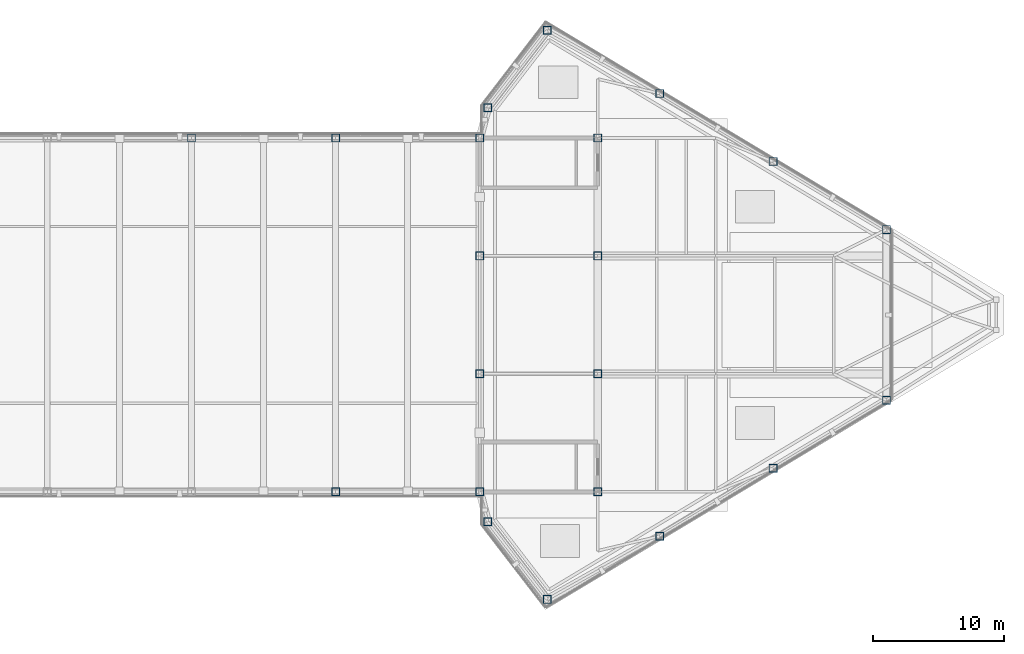
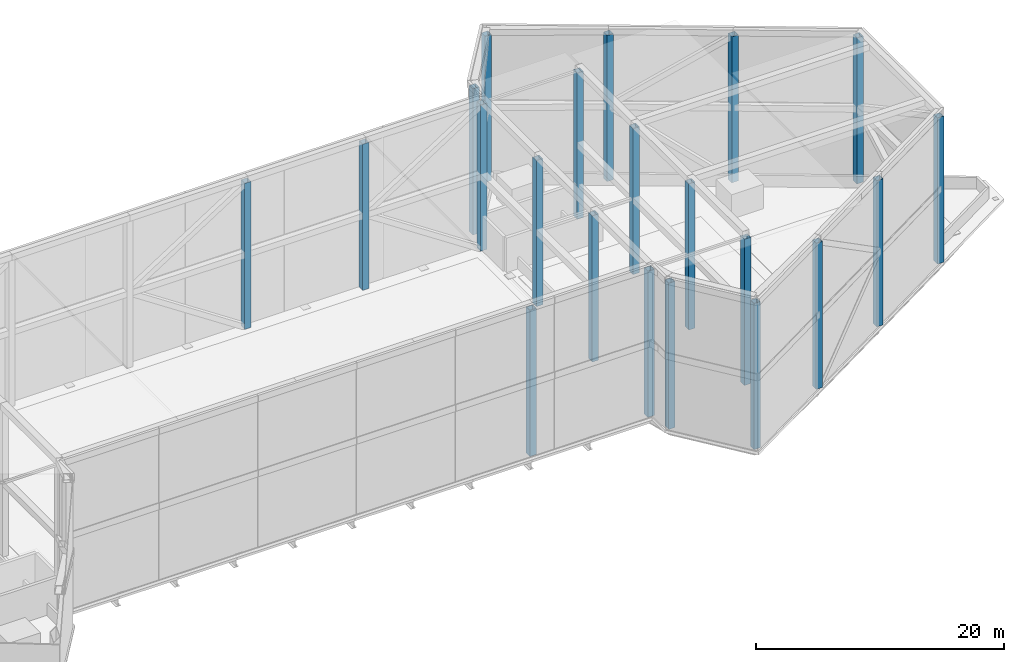
# One storey, part 2 of 16: 21 columns.
"""IFC4 building model written with IfcOpenShell, lengths in metres."""

import ifcopenshell
import ifcopenshell.guid

model = None  # the IFC model being written
_history = None  # IfcOwnerHistory: only IFC2X3 demands one
_inside = {}  # id of a spatial element -> (the spatial element, [elements in it])
_under = {}  # id of a project, library or spatial element -> (it, [spatial elements below it])
_declared = {}  # id of a project -> (the project, [libraries it declares])
_typed = {}  # id of a type object -> (the type object, [elements of that type])
_made_of = {}  # id of a material, layer set ... -> (it, [elements and type objects made of it])


def new_model(schema):
    """Start an empty IFC model of exactly this schema.

    Asked for "IFC4X3", IfcOpenShell would pick the latest addendum, in which some entities
    have other attributes; the version numbers below select the first issue.
    IFC2X3 requires an IfcOwnerHistory on every rooted entity: one is made here for all.
    """
    global model, _history
    if schema == "IFC4X3":
        model = ifcopenshell.file(schema_version=(4, 3, 0, 0))
    else:
        model = ifcopenshell.file(schema=schema)
    _inside.clear()
    _under.clear()
    _declared.clear()
    _typed.clear()
    _made_of.clear()
    _history = None
    if model.schema == "IFC2X3":
        org = make("IfcOrganization", Name="unknown")
        user = make(
            "IfcPersonAndOrganization",
            ThePerson=make("IfcPerson", FamilyName="unknown"),
            TheOrganization=org,
        )
        app = make(
            "IfcApplication",
            ApplicationDeveloper=org,
            Version="unknown",
            ApplicationFullName="unknown",
            ApplicationIdentifier="unknown",
        )
        _history = make(
            "IfcOwnerHistory",
            OwningUser=user,
            OwningApplication=app,
            ChangeAction="ADDED",
            CreationDate=0,
        )
    return model


def make(cls, **values):
    """One entity of the class cls with the attributes given. An attribute that is None is left unset."""
    return model.create_entity(
        cls, **{name: value for name, value in values.items() if value is not None}
    )


def rooted(cls, **values):
    """An entity with a GlobalId (a new one), such as an element, a storey or a relation."""
    return make(cls, GlobalId=ifcopenshell.guid.new(), OwnerHistory=_history, **values)


def si_unit(unit_type, name, prefix=None):
    """IfcSIUnit, for example si_unit("LENGTHUNIT", "METRE", prefix="MILLI")."""
    return make("IfcSIUnit", UnitType=unit_type, Prefix=prefix, Name=name)


def assignment(units):
    """IfcUnitAssignment: the units of a project."""
    return None if units is None else make("IfcUnitAssignment", Units=units)


def point(xyz):
    """IfcCartesianPoint."""
    return None if xyz is None else make("IfcCartesianPoint", Coordinates=xyz)


def direction(xyz):
    """IfcDirection."""
    return None if xyz is None else make("IfcDirection", DirectionRatios=xyz)


def frame(location, z_axis=None, x_axis=None):
    """IfcAxis2Placement3D, a coordinate frame: its origin and axes. An axis left out is left unset."""
    return make(
        "IfcAxis2Placement3D",
        Location=point(location),
        Axis=direction(z_axis),
        RefDirection=direction(x_axis),
    )


def frame_2d(location, x_axis=None):
    """IfcAxis2Placement2D, a coordinate frame in the plane: its origin and x axis."""
    return make(
        "IfcAxis2Placement2D", Location=point(location), RefDirection=direction(x_axis)
    )


def origin():
    """The frame at (0, 0, 0) with its axes left unset."""
    return frame((0.0, 0.0, 0.0))


def origin_2d():
    """The frame at (0, 0) in the plane with its x axis left unset."""
    return frame_2d((0.0, 0.0))


def place(relative_to, where):
    """IfcLocalPlacement: puts the frame where relative to a parent placement (None: the world)."""
    return make(
        "IfcLocalPlacement", PlacementRelTo=relative_to, RelativePlacement=where
    )


def context(
    kind, dimensions, precision=None, world=None, true_north=None, identifier=None
):
    """IfcGeometricRepresentationContext, for example the 3D "Model" context."""
    return make(
        "IfcGeometricRepresentationContext",
        ContextIdentifier=identifier,
        ContextType=kind,
        CoordinateSpaceDimension=dimensions,
        Precision=precision,
        WorldCoordinateSystem=world,
        TrueNorth=true_north,
    )


def subcontext(parent, identifier, kind, view, scale=None):
    """IfcGeometricRepresentationSubContext, for example "Body" below "Model"."""
    return make(
        "IfcGeometricRepresentationSubContext",
        ContextIdentifier=identifier,
        ContextType=kind,
        ParentContext=parent,
        TargetScale=scale,
        TargetView=view,
    )


def project(units=None, contexts=None):
    """IfcProject with its units and contexts."""
    return rooted(
        "IfcProject",
        Name="project",
        RepresentationContexts=contexts,
        UnitsInContext=assignment(units),
    )


def spatial(cls, under=None, at=None, **own):
    """A site, building, storey or space (cls), placed at a placement, below another one or the project."""
    s = rooted(cls, ObjectPlacement=at, **own)
    if under is not None:
        _under.setdefault(under.id(), (under, []))[1].append(s)
    return s


def profile(cls, at=None, kind="AREA", **sizes):
    """A parametric profile (cls). Its sizes go by their IFC names, for example OverallWidth=200.0."""
    return make(cls, ProfileType=kind, Position=at, **sizes)


def hollow_rectangle(**sizes):
    """IfcRectangleHollowProfileDef."""
    return profile("IfcRectangleHollowProfileDef", **sizes)


def extrude(swept, where, along, depth):
    """IfcExtrudedAreaSolid: the profile swept, set in the frame where, extruded along a direction by depth."""
    return make(
        "IfcExtrudedAreaSolid",
        SweptArea=swept,
        Position=where,
        ExtrudedDirection=direction(along),
        Depth=depth,
    )


def shape(context_of_items, identifier, shape_type, items):
    """IfcShapeRepresentation: the items that make up one representation, for example the "Body"."""
    return make(
        "IfcShapeRepresentation",
        ContextOfItems=context_of_items,
        RepresentationIdentifier=identifier,
        RepresentationType=shape_type,
        Items=items,
    )


def source(mapping_origin, context_of_items, identifier, shape_type, items):
    """IfcRepresentationMap: a shape defined once, which mapped items show again and again."""
    return make(
        "IfcRepresentationMap",
        MappingOrigin=mapping_origin,
        MappedRepresentation=shape(context_of_items, identifier, shape_type, items),
    )


def transform(
    local_origin,
    x_axis=None,
    y_axis=None,
    z_axis=None,
    scale=None,
    scale2=None,
    scale3=None,
    uniform=True,
):
    """IfcCartesianTransformationOperator3D, or its non-uniform kind. x_axis, y_axis, z_axis: its Axis1, 2, 3."""
    if uniform:
        return make(
            "IfcCartesianTransformationOperator3D",
            Axis1=direction(x_axis),
            Axis2=direction(y_axis),
            LocalOrigin=point(local_origin),
            Scale=scale,
            Axis3=direction(z_axis),
        )
    return make(
        "IfcCartesianTransformationOperator3DnonUniform",
        Axis1=direction(x_axis),
        Axis2=direction(y_axis),
        LocalOrigin=point(local_origin),
        Scale=scale,
        Axis3=direction(z_axis),
        Scale2=scale2,
        Scale3=scale3,
    )


def mapped(mapping_source, mapping_target):
    """IfcMappedItem: shows the shape of a source again, moved by a transform."""
    return make(
        "IfcMappedItem", MappingSource=mapping_source, MappingTarget=mapping_target
    )


def material(Name=None, Category=None):
    """IfcMaterial."""
    return make("IfcMaterial", Name=Name, Category=Category)


def material_profile(
    of_material, cross_section, Name=None, Category=None, Priority=None
):
    """IfcMaterialProfile: a cross section and its material."""
    return make(
        "IfcMaterialProfile",
        Name=Name,
        Material=of_material,
        Profile=cross_section,
        Priority=Priority,
        Category=Category,
    )


def profile_set(profiles, Name=None, composite=None):
    """IfcMaterialProfileSet."""
    return make(
        "IfcMaterialProfileSet",
        Name=Name,
        MaterialProfiles=profiles,
        CompositeProfile=composite,
    )


def made_of(thing, what):
    """Note that an element or type object is made of a material, layer set ...; save() writes the relation."""
    if what is not None:
        _made_of.setdefault(what.id(), (what, []))[1].append(thing)
    return thing


def type_object(cls, material=None, **own):
    """A type object (cls), such as IfcWallType, which elements share."""
    return made_of(rooted(cls, **own), material)


def type_shapes(of_type, sources):
    """Give a type object the sources (RepresentationMaps) that its elements show as mapped items."""
    of_type.RepresentationMaps = sources


def element(
    cls,
    number,
    at=None,
    inside=None,
    cuts=None,
    type_object=None,
    material=None,
    context=None,
    identifier="Body",
    shape_type=None,
    held_by="IfcProductDefinitionShape",
    body=None,
    shapes=None,
    **own,
):
    """One element of the class cls, such as IfcWall. Its Tag is "e" and its number.

    at: its placement. inside: the storey or other place that contains it. cuts: it is an
    opening in that element (IfcRelVoidsElement). A single representation is given by context,
    identifier, shape_type and body (its items); several are given by shapes. held_by: the class
    of the entity that holds the representations. save() writes the other relations.
    """
    e = rooted(cls, Tag="e%d" % number, ObjectPlacement=at, **own)
    if body is not None:
        shapes = [shape(context, identifier, shape_type, body)]
    if shapes is not None:
        e.Representation = make(held_by, Representations=shapes)
    if inside is not None:
        _inside.setdefault(inside.id(), (inside, []))[1].append(e)
    if cuts is not None:
        rooted(
            "IfcRelVoidsElement", RelatingBuildingElement=cuts, RelatedOpeningElement=e
        )
    if type_object is not None:
        _typed.setdefault(type_object.id(), (type_object, []))[1].append(e)
    return made_of(e, material)


def aggregate(whole, parts):
    """IfcRelAggregates: a whole, such as a stair, and the parts it consists of."""
    return rooted("IfcRelAggregates", RelatingObject=whole, RelatedObjects=parts)


def save(model, path):
    """Write the relations noted so far, then the file.

    IfcRelAggregates (storeys below a building ...), IfcRelContainedInSpatialStructure (elements
    in a storey), IfcRelDefinesByType, IfcRelAssociatesMaterial and IfcRelDeclares: one each for
    every whole, place, type object, material and project.
    """
    for whole, parts in _under.values():
        aggregate(whole, parts)
    for where, things in _inside.values():
        rooted(
            "IfcRelContainedInSpatialStructure",
            RelatedElements=things,
            RelatingStructure=where,
        )
    for kind, things in _typed.values():
        rooted("IfcRelDefinesByType", RelatedObjects=things, RelatingType=kind)
    for what, things in _made_of.values():
        rooted("IfcRelAssociatesMaterial", RelatedObjects=things, RelatingMaterial=what)
    for by, libraries in _declared.values():
        rooted("IfcRelDeclares", RelatingContext=by, RelatedDefinitions=libraries)
    model.write(path)


model = new_model("IFC4")

# Units and contexts
model_context = context("Model", 3, precision=1e-05, world=origin(), true_north=direction((0.0, 1.0)))
body_context = subcontext(model_context, "Body", "Model", "MODEL_VIEW")
ifc_project = project(units=[si_unit("LENGTHUNIT", "METRE"), si_unit("AREAUNIT", "SQUARE_METRE"), si_unit("VOLUMEUNIT", "CUBIC_METRE"), si_unit("PLANEANGLEUNIT", "RADIAN"), si_unit("MASSUNIT", "GRAM", prefix="KILO")], contexts=[model_context])

# Site, building, storey
site_placement = place(None, origin())
site = spatial("IfcSite", under=ifc_project, at=site_placement, CompositionType="ELEMENT")
building_placement = place(site_placement, origin())
building = spatial("IfcBuilding", under=site, at=building_placement, Name="Seokmaru Belvedere", CompositionType="ELEMENT")
storey_placement = place(building_placement, frame((0.0, 0.0, 279.0)))
storey = spatial("IfcBuildingStorey", under=building, at=storey_placement, Name="RF", CompositionType="ELEMENT", Elevation=279.0)

# Columns
ifc_material = material(Name="Steel SM355 (355 MPa)", Category="steel")
ifc_material_profile = material_profile(ifc_material, hollow_rectangle(XDim=0.60009765625, YDim=0.60009765625, WallThickness=0.02490234375, at=origin_2d()), Name="HSS-600x600x25")
ifc_profile_set = profile_set([ifc_material_profile], Name="Steel SM355 (355 MPa)")
column_type = type_object("IfcColumnType", Name="Crown Structural Post CROWN FRAME 600x600", PredefinedType="USERDEFINED", material=ifc_profile_set)
shared_shape = source(origin(), body_context, "Body", "SweptSolid", [
    extrude(hollow_rectangle(XDim=0.60009765625, YDim=0.60009765625, WallThickness=0.02490234375, at=origin_2d()), origin(), (0.0, 0.0, 1.0), 14.39990234375),
])
type_shapes(column_type, [shared_shape])
for number, where, z_axis, x_axis, name in (
    (1, (16.5, -13.5, 0.0), (0.0, 0.0, 1.0), (1.0, 0.0, 0.0), "RF Crown Structural Post CROWN FRAME BS05"),
    (2, (27.5, -13.5, 0.0), (0.0, 0.0, 1.0), (1.0, 0.0, 0.0), "RF Crown Structural Post CROWN FRAME BS06"),
    (3, (28.10009765625, -15.7958984375, 0.0), (0.0, 0.0, 1.0), (1.0, 0.0, 0.0), "RF Crown Structural Post CROWN FRAME EF_SH_S"),
    (4, (32.649658203125, -21.71044921875, 0.0), (0.0, 0.0, 1.0), (1.0, 0.0, 0.0), "RF Crown Structural Post CROWN FRAME EF_V_S"),
    (5, (41.229736328125, -16.888916015625, 0.0), (0.0, 0.0, 1.0), (1.0, 0.0, 0.0), "RF Crown Structural Post CROWN FRAME EFLK_S1"),
    (6, (49.8798828125, -11.698974609375, 0.0), (0.0, 0.0, 1.0), (1.0, 0.0, 0.0), "RF Crown Structural Post CROWN FRAME EFLK_S2"),
    (7, (58.530029296875, -6.5087890625, 0.0), (0.0, 0.0, 1.0), (1.0, 0.0, 0.0), "RF Crown Structural Post CROWN FRAME EFLK_S3"),
    (8, (58.530029296875, 6.5087890625, 0.0), (0.0, 0.0, 1.0), (1.0, 0.0, 0.0), "RF Crown Structural Post CROWN FRAME EFLK_N1"),
    (9, (49.8798828125, 11.698974609375, 0.0), (0.0, 0.0, 1.0), (1.0, 0.0, 0.0), "RF Crown Structural Post CROWN FRAME EFLK_N2"),
    (10, (41.229736328125, 16.888916015625, 0.0), (0.0, 0.0, 1.0), (1.0, 0.0, 0.0), "RF Crown Structural Post CROWN FRAME EFLK_N3"),
    (11, (32.649658203125, 21.71044921875, 0.0), (0.0, 0.0, 1.0), (1.0, 0.0, 0.0), "RF Crown Structural Post CROWN FRAME EF_V_N"),
    (12, (28.10009765625, 15.7958984375, 0.0), (0.0, 0.0, 1.0), (1.0, 0.0, 0.0), "RF Crown Structural Post CROWN FRAME EF_SH_N"),
    (13, (27.5, 13.5, 0.0), (0.0, 0.0, 1.0), (1.0, 0.0, 0.0), "RF Crown Structural Post CROWN FRAME BN01"),
    (14, (16.5, 13.5, 0.0), (0.0, 0.0, 1.0), (1.0, 0.0, 0.0), "RF Crown Structural Post CROWN FRAME BN02"),
    (15, (5.5, 13.5, 0.0), (0.0, 0.0, 1.0), (1.0, 0.0, 0.0), "RF Crown Structural Post CROWN FRAME BN03"),
    (16, (36.5, -13.5, 0.0), (0.0, 0.0, 1.0), (1.0, 0.0, 0.0), "RF Crown Interior Post CROWN FRAME E36-S2"),
    (17, (36.5, -4.5, 0.0), (0.0, 0.0, 1.0), (1.0, 0.0, 0.0), "RF Crown Interior Post CROWN FRAME E36-S1"),
    (18, (36.5, 4.5, 0.0), (0.0, 0.0, 1.0), (1.0, 0.0, 0.0), "RF Crown Interior Post CROWN FRAME E36-N1"),
    (19, (36.5, 13.5, 0.0), (0.0, 0.0, 1.0), (1.0, 0.0, 0.0), "RF Crown Interior Post CROWN FRAME E36-N2"),
    (20, (27.5, -4.5, 0.0), (0.0, 0.0, 1.0), (1.0, 0.0, 0.0), "RF Crown Spine Post CROWN FRAME E27-S1"),
    (21, (27.5, 4.5, 0.0), (0.0, 0.0, 1.0), (1.0, 0.0, 0.0), "RF Crown Spine Post CROWN FRAME E27-N1"),
):
    element("IfcColumn", number, at=place(storey_placement, frame(where, z_axis=z_axis, x_axis=x_axis)), inside=storey, type_object=column_type, Name=name, ObjectType="CROWN FRAME", PredefinedType="USERDEFINED", context=body_context, shape_type="MappedRepresentation", body=[
        mapped(shared_shape, transform((0.0, 0.0, 0.0), scale=1.0)),
    ])

save(model, "model.ifc")
